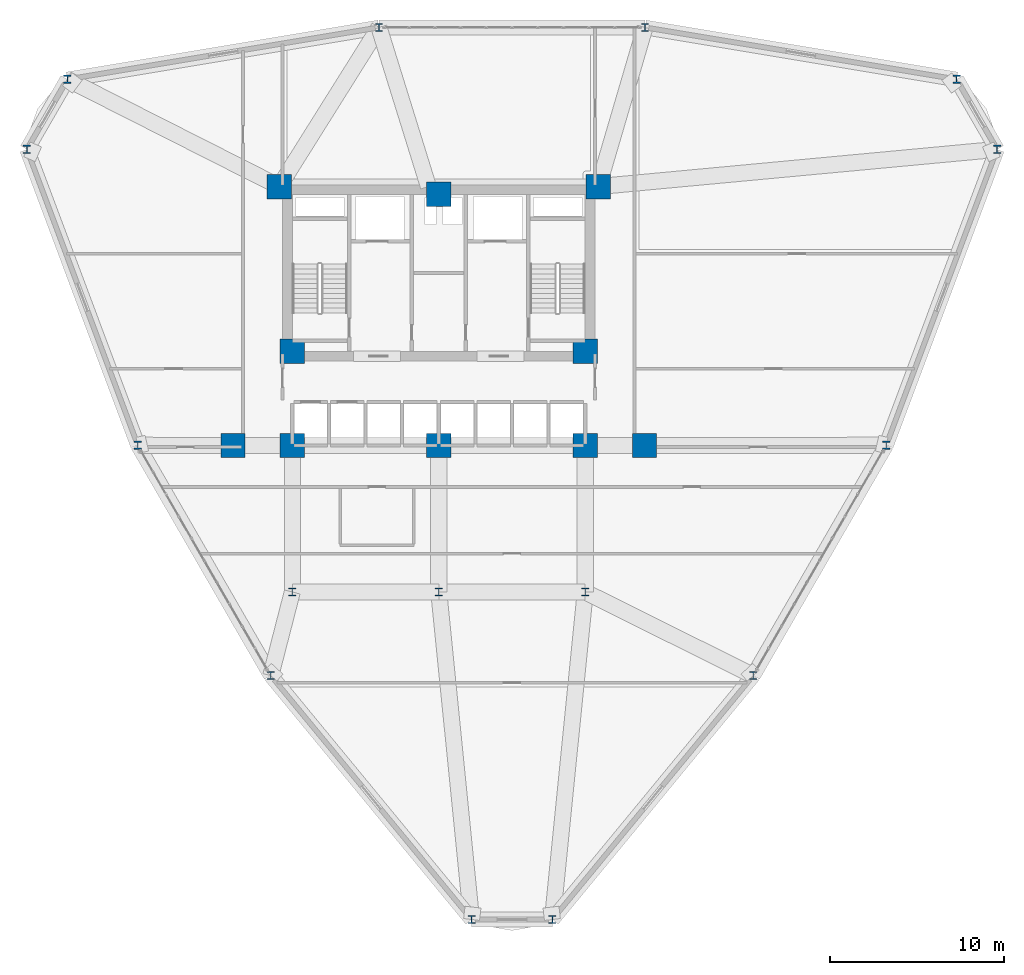
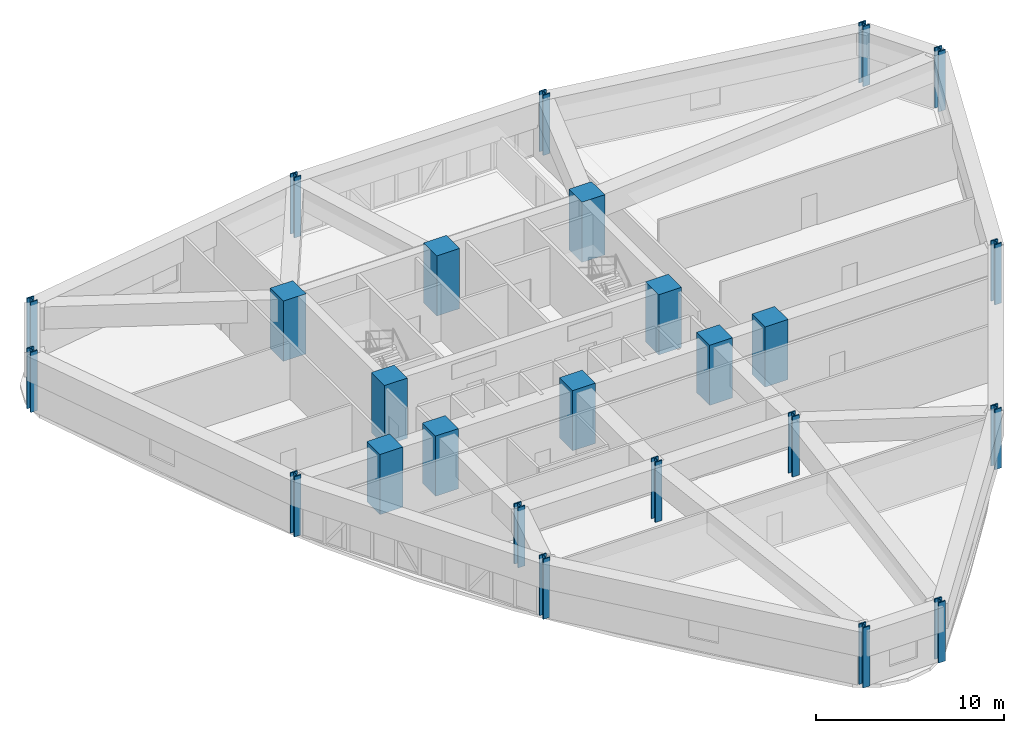
# One storey, part 1 of 18: 25 columns.
"""IFC4 building model written with IfcOpenShell, lengths in metres."""

import ifcopenshell
import ifcopenshell.guid

model = None  # the IFC model being written
_history = None  # IfcOwnerHistory: only IFC2X3 demands one
_inside = {}  # id of a spatial element -> (the spatial element, [elements in it])
_under = {}  # id of a project, library or spatial element -> (it, [spatial elements below it])
_declared = {}  # id of a project -> (the project, [libraries it declares])
_typed = {}  # id of a type object -> (the type object, [elements of that type])
_made_of = {}  # id of a material, layer set ... -> (it, [elements and type objects made of it])


def new_model(schema):
    """Start an empty IFC model of exactly this schema.

    Asked for "IFC4X3", IfcOpenShell would pick the latest addendum, in which some entities
    have other attributes; the version numbers below select the first issue.
    IFC2X3 requires an IfcOwnerHistory on every rooted entity: one is made here for all.
    """
    global model, _history
    if schema == "IFC4X3":
        model = ifcopenshell.file(schema_version=(4, 3, 0, 0))
    else:
        model = ifcopenshell.file(schema=schema)
    _inside.clear()
    _under.clear()
    _declared.clear()
    _typed.clear()
    _made_of.clear()
    _history = None
    if model.schema == "IFC2X3":
        org = make("IfcOrganization", Name="unknown")
        user = make(
            "IfcPersonAndOrganization",
            ThePerson=make("IfcPerson", FamilyName="unknown"),
            TheOrganization=org,
        )
        app = make(
            "IfcApplication",
            ApplicationDeveloper=org,
            Version="unknown",
            ApplicationFullName="unknown",
            ApplicationIdentifier="unknown",
        )
        _history = make(
            "IfcOwnerHistory",
            OwningUser=user,
            OwningApplication=app,
            ChangeAction="ADDED",
            CreationDate=0,
        )
    return model


def make(cls, **values):
    """One entity of the class cls with the attributes given. An attribute that is None is left unset."""
    return model.create_entity(
        cls, **{name: value for name, value in values.items() if value is not None}
    )


def rooted(cls, **values):
    """An entity with a GlobalId (a new one), such as an element, a storey or a relation."""
    return make(cls, GlobalId=ifcopenshell.guid.new(), OwnerHistory=_history, **values)


def si_unit(unit_type, name, prefix=None):
    """IfcSIUnit, for example si_unit("LENGTHUNIT", "METRE", prefix="MILLI")."""
    return make("IfcSIUnit", UnitType=unit_type, Prefix=prefix, Name=name)


def derived_unit(unit_type, elements):
    """IfcDerivedUnit: a product of units, each with its exponent."""
    return make(
        "IfcDerivedUnit",
        Elements=[
            make("IfcDerivedUnitElement", Unit=unit, Exponent=power)
            for unit, power in elements
        ],
        UnitType=unit_type,
    )


def assignment(units):
    """IfcUnitAssignment: the units of a project."""
    return None if units is None else make("IfcUnitAssignment", Units=units)


def point(xyz):
    """IfcCartesianPoint."""
    return None if xyz is None else make("IfcCartesianPoint", Coordinates=xyz)


def direction(xyz):
    """IfcDirection."""
    return None if xyz is None else make("IfcDirection", DirectionRatios=xyz)


def frame(location, z_axis=None, x_axis=None):
    """IfcAxis2Placement3D, a coordinate frame: its origin and axes. An axis left out is left unset."""
    return make(
        "IfcAxis2Placement3D",
        Location=point(location),
        Axis=direction(z_axis),
        RefDirection=direction(x_axis),
    )


def frame_2d(location, x_axis=None):
    """IfcAxis2Placement2D, a coordinate frame in the plane: its origin and x axis."""
    return make(
        "IfcAxis2Placement2D", Location=point(location), RefDirection=direction(x_axis)
    )


def origin():
    """The frame at (0, 0, 0) with its axes left unset."""
    return frame((0.0, 0.0, 0.0))


def origin_2d():
    """The frame at (0, 0) in the plane with its x axis left unset."""
    return frame_2d((0.0, 0.0))


def place(relative_to, where):
    """IfcLocalPlacement: puts the frame where relative to a parent placement (None: the world)."""
    return make(
        "IfcLocalPlacement", PlacementRelTo=relative_to, RelativePlacement=where
    )


def context(
    kind, dimensions, precision=None, world=None, true_north=None, identifier=None
):
    """IfcGeometricRepresentationContext, for example the 3D "Model" context."""
    return make(
        "IfcGeometricRepresentationContext",
        ContextIdentifier=identifier,
        ContextType=kind,
        CoordinateSpaceDimension=dimensions,
        Precision=precision,
        WorldCoordinateSystem=world,
        TrueNorth=true_north,
    )


def subcontext(parent, identifier, kind, view, scale=None):
    """IfcGeometricRepresentationSubContext, for example "Body" below "Model"."""
    return make(
        "IfcGeometricRepresentationSubContext",
        ContextIdentifier=identifier,
        ContextType=kind,
        ParentContext=parent,
        TargetScale=scale,
        TargetView=view,
    )


def project(units=None, contexts=None):
    """IfcProject with its units and contexts."""
    return rooted(
        "IfcProject",
        Name="project",
        RepresentationContexts=contexts,
        UnitsInContext=assignment(units),
    )


def spatial(cls, under=None, at=None, **own):
    """A site, building, storey or space (cls), placed at a placement, below another one or the project."""
    s = rooted(cls, ObjectPlacement=at, **own)
    if under is not None:
        _under.setdefault(under.id(), (under, []))[1].append(s)
    return s


def profile(cls, at=None, kind="AREA", **sizes):
    """A parametric profile (cls). Its sizes go by their IFC names, for example OverallWidth=200.0."""
    return make(cls, ProfileType=kind, Position=at, **sizes)


def rectangle(**sizes):
    """IfcRectangleProfileDef."""
    return profile("IfcRectangleProfileDef", **sizes)


def i_section(**sizes):
    """IfcIShapeProfileDef."""
    return profile("IfcIShapeProfileDef", **sizes)


def extrude(swept, where, along, depth):
    """IfcExtrudedAreaSolid: the profile swept, set in the frame where, extruded along a direction by depth."""
    return make(
        "IfcExtrudedAreaSolid",
        SweptArea=swept,
        Position=where,
        ExtrudedDirection=direction(along),
        Depth=depth,
    )


def shape(context_of_items, identifier, shape_type, items):
    """IfcShapeRepresentation: the items that make up one representation, for example the "Body"."""
    return make(
        "IfcShapeRepresentation",
        ContextOfItems=context_of_items,
        RepresentationIdentifier=identifier,
        RepresentationType=shape_type,
        Items=items,
    )


def source(mapping_origin, context_of_items, identifier, shape_type, items):
    """IfcRepresentationMap: a shape defined once, which mapped items show again and again."""
    return make(
        "IfcRepresentationMap",
        MappingOrigin=mapping_origin,
        MappedRepresentation=shape(context_of_items, identifier, shape_type, items),
    )


def transform(
    local_origin,
    x_axis=None,
    y_axis=None,
    z_axis=None,
    scale=None,
    scale2=None,
    scale3=None,
    uniform=True,
):
    """IfcCartesianTransformationOperator3D, or its non-uniform kind. x_axis, y_axis, z_axis: its Axis1, 2, 3."""
    if uniform:
        return make(
            "IfcCartesianTransformationOperator3D",
            Axis1=direction(x_axis),
            Axis2=direction(y_axis),
            LocalOrigin=point(local_origin),
            Scale=scale,
            Axis3=direction(z_axis),
        )
    return make(
        "IfcCartesianTransformationOperator3DnonUniform",
        Axis1=direction(x_axis),
        Axis2=direction(y_axis),
        LocalOrigin=point(local_origin),
        Scale=scale,
        Axis3=direction(z_axis),
        Scale2=scale2,
        Scale3=scale3,
    )


def mapped(mapping_source, mapping_target):
    """IfcMappedItem: shows the shape of a source again, moved by a transform."""
    return make(
        "IfcMappedItem", MappingSource=mapping_source, MappingTarget=mapping_target
    )


def material(Name=None, Category=None):
    """IfcMaterial."""
    return make("IfcMaterial", Name=Name, Category=Category)


def material_profile(
    of_material, cross_section, Name=None, Category=None, Priority=None
):
    """IfcMaterialProfile: a cross section and its material."""
    return make(
        "IfcMaterialProfile",
        Name=Name,
        Material=of_material,
        Profile=cross_section,
        Priority=Priority,
        Category=Category,
    )


def profile_set(profiles, Name=None, composite=None):
    """IfcMaterialProfileSet."""
    return make(
        "IfcMaterialProfileSet",
        Name=Name,
        MaterialProfiles=profiles,
        CompositeProfile=composite,
    )


def made_of(thing, what):
    """Note that an element or type object is made of a material, layer set ...; save() writes the relation."""
    if what is not None:
        _made_of.setdefault(what.id(), (what, []))[1].append(thing)
    return thing


def type_object(cls, material=None, **own):
    """A type object (cls), such as IfcWallType, which elements share."""
    return made_of(rooted(cls, **own), material)


def element(
    cls,
    number,
    at=None,
    inside=None,
    cuts=None,
    type_object=None,
    material=None,
    context=None,
    identifier="Body",
    shape_type=None,
    held_by="IfcProductDefinitionShape",
    body=None,
    shapes=None,
    **own,
):
    """One element of the class cls, such as IfcWall. Its Tag is "e" and its number.

    at: its placement. inside: the storey or other place that contains it. cuts: it is an
    opening in that element (IfcRelVoidsElement). A single representation is given by context,
    identifier, shape_type and body (its items); several are given by shapes. held_by: the class
    of the entity that holds the representations. save() writes the other relations.
    """
    e = rooted(cls, Tag="e%d" % number, ObjectPlacement=at, **own)
    if body is not None:
        shapes = [shape(context, identifier, shape_type, body)]
    if shapes is not None:
        e.Representation = make(held_by, Representations=shapes)
    if inside is not None:
        _inside.setdefault(inside.id(), (inside, []))[1].append(e)
    if cuts is not None:
        rooted(
            "IfcRelVoidsElement", RelatingBuildingElement=cuts, RelatedOpeningElement=e
        )
    if type_object is not None:
        _typed.setdefault(type_object.id(), (type_object, []))[1].append(e)
    return made_of(e, material)


def aggregate(whole, parts):
    """IfcRelAggregates: a whole, such as a stair, and the parts it consists of."""
    return rooted("IfcRelAggregates", RelatingObject=whole, RelatedObjects=parts)


def save(model, path):
    """Write the relations noted so far, then the file.

    IfcRelAggregates (storeys below a building ...), IfcRelContainedInSpatialStructure (elements
    in a storey), IfcRelDefinesByType, IfcRelAssociatesMaterial and IfcRelDeclares: one each for
    every whole, place, type object, material and project.
    """
    for whole, parts in _under.values():
        aggregate(whole, parts)
    for where, things in _inside.values():
        rooted(
            "IfcRelContainedInSpatialStructure",
            RelatedElements=things,
            RelatingStructure=where,
        )
    for kind, things in _typed.values():
        rooted("IfcRelDefinesByType", RelatedObjects=things, RelatingType=kind)
    for what, things in _made_of.values():
        rooted("IfcRelAssociatesMaterial", RelatedObjects=things, RelatingMaterial=what)
    for by, libraries in _declared.values():
        rooted("IfcRelDeclares", RelatingContext=by, RelatedDefinitions=libraries)
    model.write(path)


model = new_model("IFC4")

# Units and contexts
model_context = context("Model", 3, precision=1e-05, world=origin(), true_north=direction((0.0, 1.0)))
body_context = subcontext(model_context, "Body", "Model", "MODEL_VIEW")
ifc_project = project(units=[si_unit("LENGTHUNIT", "METRE"), si_unit("AREAUNIT", "SQUARE_METRE"), si_unit("VOLUMEUNIT", "CUBIC_METRE"), si_unit("PLANEANGLEUNIT", "RADIAN"), si_unit("MASSUNIT", "GRAM", prefix="KILO"), derived_unit("THERMALTRANSMITTANCEUNIT", [(si_unit("POWERUNIT", "WATT"), 1), (si_unit("LENGTHUNIT", "METRE"), -2), (si_unit("THERMODYNAMICTEMPERATUREUNIT", "KELVIN"), -1)])], contexts=[model_context])

# Site, building, storey
site_placement = place(None, origin())
site = spatial("IfcSite", under=ifc_project, at=site_placement, CompositionType="ELEMENT")
building_placement = place(site_placement, origin())
building = spatial("IfcBuilding", under=site, at=building_placement, Name="Korsvarv Bourse and Concert Hall", CompositionType="ELEMENT")
storey_placement = place(building_placement, frame((0.0, 0.0, 71.699951171875)))
storey = spatial("IfcBuildingStorey", under=building, at=storey_placement, Name="L17", CompositionType="ELEMENT", Elevation=71.699951171875)

# Columns
ifc_material_1 = material(Name="Concrete C60/75", Category="concrete")
ifc_material_profile_1 = material_profile(ifc_material_1, rectangle(XDim=1.39990234375, YDim=1.39990234375, at=origin_2d()), Name="RC 1400x1400")
ifc_profile_set_1 = profile_set([ifc_material_profile_1], Name="Concrete C60/75")
column_type_1 = type_object("IfcColumnType", Name="COL-RC1400", PredefinedType="COLUMN", material=ifc_profile_set_1)
shared_shape_1 = source(origin(), body_context, "Body", "SweptSolid", [
    extrude(rectangle(XDim=1.39990234375, YDim=1.39990234375, at=origin_2d()), origin(), (0.0, 0.0, 1.0), 3.900146484375),
])
for number, where, z_axis, x_axis, name in (
    (1, (26.85009765625, 47.25, 0.0), (0.0, 0.0, 1.0), (1.0, 0.0, 0.0), "L17 column C-01"),
    (2, (45.14990234375, 47.25, 0.0), (0.0, 0.0, 1.0), (1.0, 0.0, 0.0), "L17 column C-01"),
    (3, (27.60009765625, 37.800048828125, 0.0), (0.0, 0.0, 1.0), (1.0, 0.0, 0.0), "L17 column C-01"),
    (4, (44.39990234375, 37.800048828125, 0.0), (0.0, 0.0, 1.0), (1.0, 0.0, 0.0), "L17 column C-01"),
    (5, (27.60009765625, 32.39990234375, 0.0), (0.0, 0.0, 1.0), (1.0, 0.0, 0.0), "L17 column C-01"),
    (6, (44.39990234375, 32.39990234375, 0.0), (0.0, 0.0, 1.0), (1.0, 0.0, 0.0), "L17 column C-01"),
    (7, (36.0, 46.800048828125, 0.0), (0.0, 0.0, 1.0), (1.0, 0.0, 0.0), "L17 column C-01"),
    (8, (36.0, 32.39990234375, 0.0), (0.0, 0.0, 1.0), (1.0, 0.0, 0.0), "L17 column C-01"),
    (9, (24.199951171875, 32.39990234375, 0.0), (0.0, 0.0, 1.0), (1.0, 0.0, 0.0), "L17 column C-01"),
    (10, (47.800048828125, 32.39990234375, 0.0), (0.0, 0.0, 1.0), (1.0, 0.0, 0.0), "L17 column C-01"),
):
    element("IfcColumn", number, at=place(storey_placement, frame(where, z_axis=z_axis, x_axis=x_axis)), inside=storey, type_object=column_type_1, Name=name, PredefinedType="COLUMN", context=body_context, shape_type="MappedRepresentation", body=[
        mapped(shared_shape_1, transform((0.0, 0.0, 0.0), scale=1.0)),
    ])
ifc_material_2 = material(Name="Steel S460", Category="steel")
ifc_material_profile_2 = material_profile(ifc_material_2, i_section(OverallWidth=0.424072265625, OverallDepth=0.47412109375, WebThickness=0.044921875, FlangeThickness=0.072021484375, FilletRadius=0.014892578125, at=origin_2d()), Name="HD 400x634")
ifc_profile_set_2 = profile_set([ifc_material_profile_2], Name="Steel S460")
column_type_2 = type_object("IfcColumnType", Name="COL-HD634", PredefinedType="COLUMN", material=ifc_profile_set_2)
shared_shape_2 = source(origin(), body_context, "Body", "SweptSolid", [
    extrude(i_section(OverallWidth=0.424072265625, OverallDepth=0.47412109375, WebThickness=0.044921875, FlangeThickness=0.072021484375, FilletRadius=0.014892578125, at=origin_2d()), origin(), (0.0, 0.0, 1.0), 3.900146484375),
])
for number, where, z_axis, x_axis, name in (
    (11, (27.60009765625, 24.0, 0.0), (0.0, 0.0, 1.0), (1.0, 0.0, 0.0), "L17 column C-07"),
    (12, (44.39990234375, 24.0, 0.0), (0.0, 0.0, 1.0), (1.0, 0.0, 0.0), "L17 column C-07"),
    (13, (36.0, 24.0, 0.0), (0.0, 0.0, 1.0), (1.0, 0.0, 0.0), "L17 column C-07"),
    (14, (68.0166015625, 49.382080078125, 0.0), (0.0, 0.0, 1.0), (1.0, 0.0, 0.0), "L17 column C-07"),
    (15, (65.69775390625, 53.398681640625, 0.0), (0.0, 0.0, 1.0), (1.0, 0.0, 0.0), "L17 column C-07"),
    (16, (47.82666015625, 56.376708984375, 0.0), (0.0, 0.0, 1.0), (1.0, 0.0, 0.0), "L17 column C-07"),
    (17, (32.5732421875, 56.376708984375, 0.0), (0.0, 0.0, 1.0), (1.0, 0.0, 0.0), "L17 column C-07"),
    (18, (14.702392578125, 53.398681640625, 0.0), (0.0, 0.0, 1.0), (1.0, 0.0, 0.0), "L17 column C-07"),
    (19, (12.38330078125, 49.382080078125, 0.0), (0.0, 0.0, 1.0), (1.0, 0.0, 0.0), "L17 column C-07"),
    (20, (18.73974609375, 32.41650390625, 0.0), (0.0, 0.0, 1.0), (1.0, 0.0, 0.0), "L17 column C-07"),
    (21, (26.36669921875, 19.206787109375, 0.0), (0.0, 0.0, 1.0), (1.0, 0.0, 0.0), "L17 column C-07"),
    (22, (37.881103515625, 5.218994140625, 0.0), (0.0, 0.0, 1.0), (1.0, 0.0, 0.0), "L17 column C-07"),
    (23, (42.51904296875, 5.218994140625, 0.0), (0.0, 0.0, 1.0), (1.0, 0.0, 0.0), "L17 column C-07"),
    (24, (54.033447265625, 19.206787109375, 0.0), (0.0, 0.0, 1.0), (1.0, 0.0, 0.0), "L17 column C-07"),
    (25, (61.66015625, 32.41650390625, 0.0), (0.0, 0.0, 1.0), (1.0, 0.0, 0.0), "L17 column C-07"),
):
    element("IfcColumn", number, at=place(storey_placement, frame(where, z_axis=z_axis, x_axis=x_axis)), inside=storey, type_object=column_type_2, Name=name, PredefinedType="COLUMN", context=body_context, shape_type="MappedRepresentation", body=[
        mapped(shared_shape_2, transform((0.0, 0.0, 0.0), scale=1.0)),
    ])

save(model, "model.ifc")
